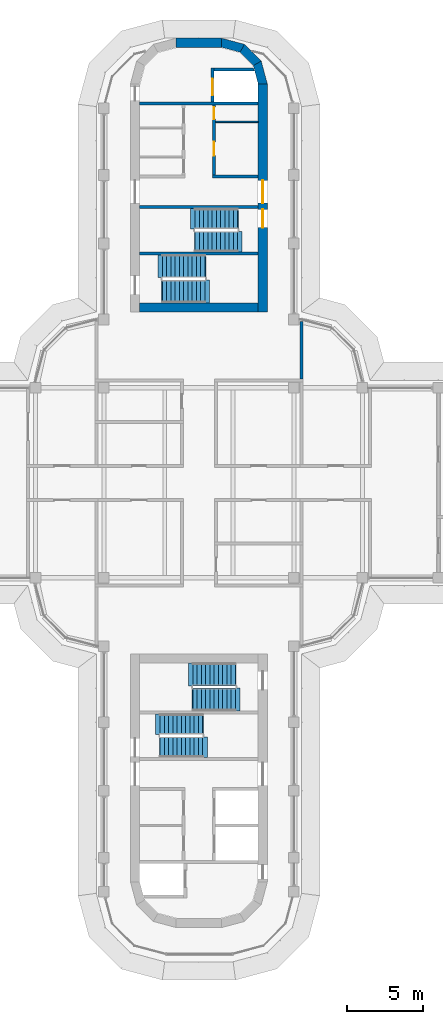
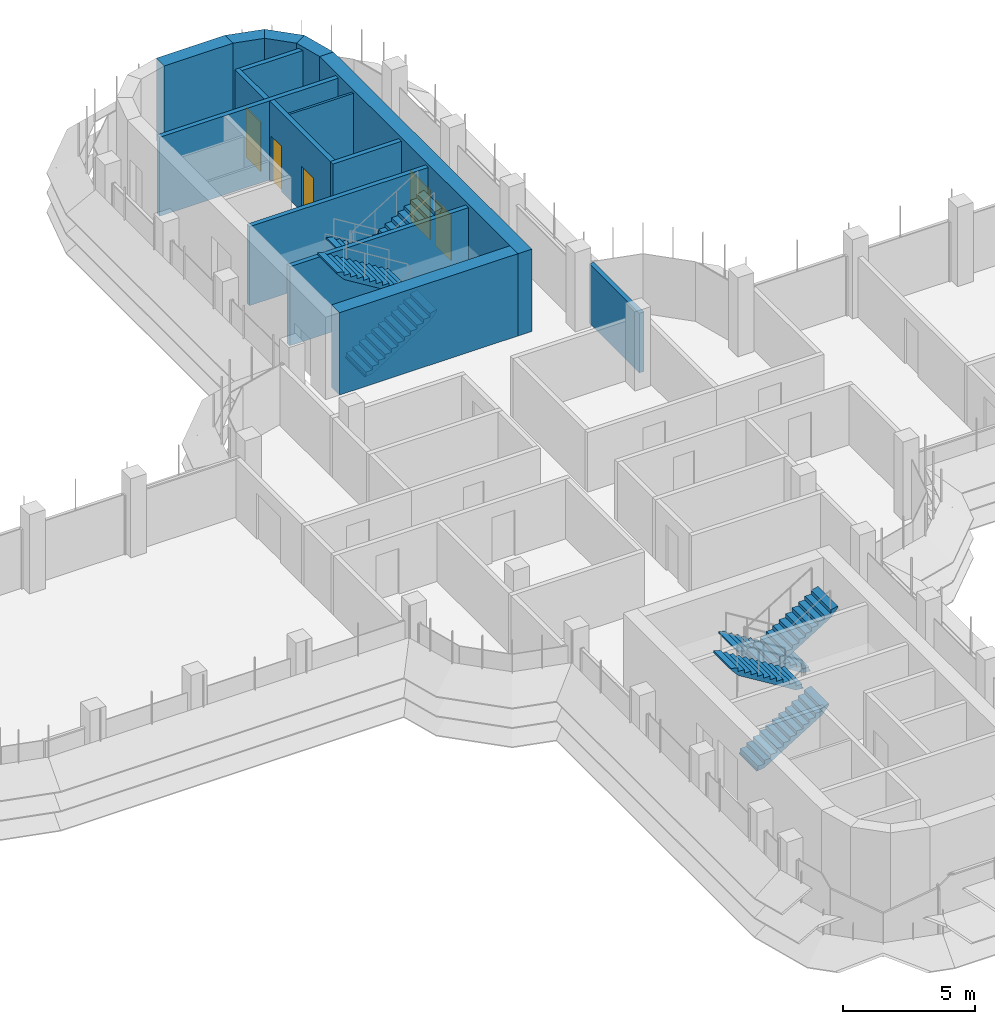
# One storey, part 15 of 19: 15 walls, 8 stair flights, 5 doors, 5 openings, 4 elements without a shape of their own.
"""IFC4 building model written with IfcOpenShell, lengths in metres."""

from ifc_helpers import new_model, si_unit, direction, frame, frame_2d, origin, place, context, subcontext, project, spatial, polyline, rectangle, outline, extrude, material, layer, layer_set, type_object, element, fill, aggregate, save


model = new_model("IFC4")

# Units and contexts
model_context = context("Model", 3, precision=1e-05, world=origin(), true_north=direction((0.0, 1.0)))
body_context = subcontext(model_context, "Body", "Model", "MODEL_VIEW")
ifc_project = project(units=[si_unit("LENGTHUNIT", "METRE"), si_unit("AREAUNIT", "SQUARE_METRE"), si_unit("VOLUMEUNIT", "CUBIC_METRE"), si_unit("PLANEANGLEUNIT", "RADIAN"), si_unit("MASSUNIT", "GRAM", prefix="KILO")], contexts=[model_context])

# Site, building, storey
site_placement = place(None, origin())
site = spatial("IfcSite", under=ifc_project, at=site_placement, CompositionType="ELEMENT")
building_placement = place(site_placement, origin())
building = spatial("IfcBuilding", under=site, at=building_placement, Name="Zarbagh Exchange Tower", CompositionType="ELEMENT")
storey_placement = place(building_placement, frame((0.0, 0.0, 225.800048828125)))
storey = spatial("IfcBuildingStorey", under=building, at=storey_placement, Name="L55", CompositionType="ELEMENT", Elevation=225.800048828125)

# Walls
ifc_material_1 = material(Name="Dense blockwork", Category="masonry")
ifc_layer_1 = layer(ifc_material_1, 0.10009765625)
ifc_layer_set_1 = layer_set([ifc_layer_1], Name="Core partition 100 mm blockwork")
wall_type_1 = type_object("IfcWallType", Name="Core partition 100 mm blockwork", PredefinedType="PARTITIONING", material=ifc_layer_set_1)
wall_1_placement = place(storey_placement, frame((1.10009765625, 23.75, 0.0), z_axis=(0.0, 0.0, 1.0), x_axis=(1.0, 0.0, 0.0)))
element("IfcWall", 1, at=wall_1_placement, inside=storey, type_object=wall_type_1, Name="North core partition wall CUT-E-460", PredefinedType="PARTITIONING", context=body_context, shape_type="SweptSolid", body=[
    extrude(rectangle(XDim=2.7998046875, YDim=0.10009765625, at=frame_2d((1.39990234375, 0.0))), origin(), (0.0, 0.0, 1.0), 3.64990234375),
])
ifc_material_2 = material(Name="Fire-rated plasterboard partition")
ifc_layer_2 = layer(ifc_material_2, 0.199951171875)
ifc_layer_set_2 = layer_set([ifc_layer_2], Name="RATED PARTITION 200")
wall_type_2 = type_object("IfcWallType", Name="RATED PARTITION 200", PredefinedType="PARTITIONING", material=ifc_layer_set_2)
wall_2_placement = place(storey_placement, frame((6.75, 6.85009765625, 0.0), z_axis=(0.0, 0.0, 1.0), x_axis=(0.0, 1.0, 0.0)))
element("IfcWall", 2, at=wall_2_placement, inside=storey, type_object=wall_type_2, Name="Partition W-2417", PredefinedType="PARTITIONING", context=body_context, shape_type="SweptSolid", body=[
    extrude(rectangle(XDim=3.77978515625, YDim=0.199951171875, at=frame_2d((1.889892578125, 0.0))), origin(), (0.0, 0.0, 1.0), 2.75),
])
ifc_material_3 = material(Name="Concrete C50/60", Category="concrete")
ifc_layer_3 = layer(ifc_material_3, 0.60009765625)
ifc_layer_set_3 = layer_set([ifc_layer_3], Name="RC core corner wall 600 C50/60")
wall_type_3 = type_object("IfcWallType", Name="RC core corner wall 600 C50/60", PredefinedType="SHEAR", material=ifc_layer_set_3)
wall_3_placement = place(storey_placement, origin())
element("IfcWall", 3, at=wall_3_placement, inside=storey, type_object=wall_type_3, Name="CW8 core N corner E", PredefinedType="SHEAR", context=body_context, shape_type="SweptSolid", body=[
    extrude(outline(polyline([(4.5, 26.25), (4.09814453125, 27.75), (3.57861328125, 27.449951171875), (3.89990234375, 26.25), (4.5, 26.25)])), origin(), (0.0, 0.0, 1.0), 3.800048828125),
])
wall_4_placement = place(storey_placement, origin())
element("IfcWall", 4, at=wall_4_placement, inside=storey, type_object=wall_type_3, Name="CW8 core N corner E", PredefinedType="SHEAR", context=body_context, shape_type="SweptSolid", body=[
    extrude(outline(polyline([(4.09814453125, 27.75), (3.0, 28.84814453125), (2.699951171875, 28.32861328125), (3.57861328125, 27.449951171875), (4.09814453125, 27.75)])), origin(), (0.0, 0.0, 1.0), 3.800048828125),
])
wall_5_placement = place(storey_placement, origin())
element("IfcWall", 5, at=wall_5_placement, inside=storey, type_object=wall_type_3, Name="CW8 core N corner E", PredefinedType="SHEAR", context=body_context, shape_type="SweptSolid", body=[
    extrude(outline(polyline([(3.0, 28.84814453125), (1.5, 29.25), (1.5, 28.64990234375), (2.699951171875, 28.32861328125), (3.0, 28.84814453125)])), origin(), (0.0, 0.0, 1.0), 3.800048828125),
])

# Wall, openings, doors
ifc_layer_4 = layer(ifc_material_3, 0.60009765625)
ifc_layer_set_4 = layer_set([ifc_layer_4], Name="RC core wall 600 C50/60")
wall_type_4 = type_object("IfcWallType", Name="RC core wall 600 C50/60", PredefinedType="SHEAR", material=ifc_layer_set_4)
wall_6_placement = place(storey_placement, frame((4.199951171875, 11.25, 0.0), z_axis=(0.0, 0.0, 1.0), x_axis=(0.0, 1.0, 0.0)))
wall_6 = element("IfcWall", 6, at=wall_6_placement, inside=storey, type_object=wall_type_4, Name="CW7 core N E", PredefinedType="SHEAR", context=body_context, shape_type="SweptSolid", body=[
    extrude(rectangle(XDim=15.0, YDim=0.60009765625, at=frame_2d((7.5, 0.0))), origin(), (0.0, 0.0, 1.0), 3.800048828125),
])
opening_1_placement = place(wall_6_placement, frame((7.14990234375, 0.0, 0.0)))
opening_1 = element("IfcOpeningElement", 7, at=opening_1_placement, cuts=wall_6, Name="Opening CD1-1500", PredefinedType="OPENING", context=body_context, shape_type="SweptSolid", body=[
    extrude(rectangle(XDim=1.5, YDim=2.300048828125, at=frame_2d((0.75, 1.14990234375))), frame((0.0, 0.31005859375, 0.0), z_axis=(0.0, -1.0, 0.0), x_axis=(1.0, 0.0, 0.0)), (0.0, 0.0, 1.0), 0.6201171875),
])
opening_2_placement = place(wall_6_placement, frame((5.550048828125, 0.0, 0.0)))
opening_2 = element("IfcOpeningElement", 8, at=opening_2_placement, cuts=wall_6, Name="Opening SD1-1200", PredefinedType="OPENING", context=body_context, shape_type="SweptSolid", body=[
    extrude(rectangle(XDim=1.199951171875, YDim=2.10009765625, at=frame_2d((0.60009765625, 1.050048828125))), frame((0.0, 0.31005859375, 0.0), z_axis=(0.0, -1.0, 0.0), x_axis=(1.0, 0.0, 0.0)), (0.0, 0.0, 1.0), 0.6201171875),
])
ifc_material_4 = material(Name="Steel", Category="steel")
door_type_1 = type_object("IfcDoorType", Name="Exit stair door 1200 x 2100", OperationType="NOTDEFINED", PredefinedType="DOOR", material=ifc_material_4)
door_1_placement = place(opening_2_placement, origin())
door_1 = element("IfcDoor", 9, at=door_1_placement, inside=storey, type_object=door_type_1, Name="North core stair door ST1", OperationType="SINGLE_SWING_RIGHT", OverallHeight=2.10009765625, OverallWidth=1.199951171875, PredefinedType="DOOR", context=body_context, shape_type="SweptSolid", body=[
    extrude(rectangle(XDim=1.199951171875, YDim=2.10009765625, at=frame_2d((0.60009765625, 1.050048828125))), frame((0.0, 0.02490234375, 0.0), z_axis=(0.0, -1.0, 0.0), x_axis=(1.0, 0.0, 0.0)), (0.0, 0.0, 1.0), 0.050048828125),
])
fill(opening_2, door_1)
door_type_2 = type_object("IfcDoorType", Name="Lift lobby double door 1500 x 2300", OperationType="NOTDEFINED", PredefinedType="DOOR", material=ifc_material_4)
door_2_placement = place(opening_1_placement, origin())
door_2 = element("IfcDoor", 10, at=door_2_placement, inside=storey, type_object=door_type_2, Name="North core lift lobby door LOBBY-E", OperationType="DOUBLE_DOOR_SINGLE_SWING", OverallHeight=2.300048828125, OverallWidth=1.5, PredefinedType="DOOR", context=body_context, shape_type="SweptSolid", body=[
    extrude(rectangle(XDim=1.5, YDim=2.300048828125, at=frame_2d((0.75, 1.14990234375))), frame((0.0, 0.02490234375, 0.0), z_axis=(0.0, -1.0, 0.0), x_axis=(1.0, 0.0, 0.0)), (0.0, 0.0, 1.0), 0.050048828125),
])
fill(opening_1, door_2)

# Walls
wall_7_placement = place(storey_placement, frame((-3.89990234375, 11.550048828125, 0.0), z_axis=(0.0, 0.0, 1.0), x_axis=(1.0, 0.0, 0.0)))
element("IfcWall", 11, at=wall_7_placement, inside=storey, type_object=wall_type_4, Name="CW7 core N inner end", PredefinedType="SHEAR", context=body_context, shape_type="SweptSolid", body=[
    extrude(rectangle(XDim=7.7998046875, YDim=0.60009765625, at=frame_2d((3.89990234375, 0.0))), origin(), (0.0, 0.0, 1.0), 3.800048828125),
])
wall_8_placement = place(storey_placement, frame((-1.5, 28.949951171875, 0.0), z_axis=(0.0, 0.0, 1.0), x_axis=(1.0, 0.0, 0.0)))
element("IfcWall", 12, at=wall_8_placement, inside=storey, type_object=wall_type_4, Name="CW7 core N outer end", PredefinedType="SHEAR", context=body_context, shape_type="SweptSolid", body=[
    extrude(rectangle(XDim=3.0, YDim=0.60009765625, at=frame_2d((1.5, 0.0))), origin(), (0.0, 0.0, 1.0), 3.800048828125),
])
ifc_layer_5 = layer(ifc_material_1, 0.199951171875)
ifc_layer_set_5 = layer_set([ifc_layer_5], Name="Shaft wall 200 mm blockwork")
wall_type_5 = type_object("IfcWallType", Name="Shaft wall 200 mm blockwork", PredefinedType="PARTITIONING", material=ifc_layer_set_5)
wall_9_placement = place(storey_placement, frame((0.89990234375, 20.14990234375, 0.0), z_axis=(0.0, 0.0, 1.0), x_axis=(1.0, 0.0, 0.0)))
element("IfcWall", 13, at=wall_9_placement, inside=storey, type_object=wall_type_5, Name="North core shaft wall AB-E", PredefinedType="PARTITIONING", context=body_context, shape_type="SweptSolid", body=[
    extrude(rectangle(XDim=3.0, YDim=0.199951171875, at=frame_2d((1.5, 0.0))), origin(), (0.0, 0.0, 1.0), 3.64990234375),
])

# Wall, openings, doors
wall_10_placement = place(storey_placement, frame((1.0, 24.85009765625, 0.0), z_axis=(0.0, 0.0, 1.0), x_axis=(0.0, -1.0, 0.0)))
wall_10 = element("IfcWall", 14, at=wall_10_placement, inside=storey, type_object=wall_type_5, Name="North core shaft wall LW-E", PredefinedType="PARTITIONING", context=body_context, shape_type="SweptSolid", body=[
    extrude(rectangle(XDim=4.60009765625, YDim=0.199951171875, at=frame_2d((2.300048828125, 0.0))), origin(), (0.0, 0.0, 1.0), 3.64990234375),
])
opening_3_placement = place(wall_10_placement, frame((0.125, 0.0, 0.0)))
opening_3 = element("IfcOpeningElement", 15, at=opening_3_placement, cuts=wall_10, Name="Opening CD3-800", PredefinedType="OPENING", context=body_context, shape_type="SweptSolid", body=[
    extrude(rectangle(XDim=0.800048828125, YDim=2.10009765625, at=frame_2d((0.39990234375, 1.050048828125))), frame((0.0, 0.10986328125, 0.0), z_axis=(0.0, -1.0, 0.0), x_axis=(1.0, 0.0, 0.0)), (0.0, 0.0, 1.0), 0.219970703125),
])
opening_4_placement = place(wall_10_placement, frame((2.425048828125, 0.0, 0.0)))
opening_4 = element("IfcOpeningElement", 16, at=opening_4_placement, cuts=wall_10, Name="Opening CD3-900", PredefinedType="OPENING", context=body_context, shape_type="SweptSolid", body=[
    extrude(rectangle(XDim=0.89990234375, YDim=2.10009765625, at=frame_2d((0.449951171875, 1.050048828125))), frame((0.0, 0.10986328125, 0.0), z_axis=(0.0, -1.0, 0.0), x_axis=(1.0, 0.0, 0.0)), (0.0, 0.0, 1.0), 0.219970703125),
])
door_type_3 = type_object("IfcDoorType", Name="Core room door 800 x 2100", OperationType="NOTDEFINED", PredefinedType="DOOR", material=ifc_material_4)
door_3_placement = place(opening_3_placement, origin())
door_3 = element("IfcDoor", 17, at=door_3_placement, inside=storey, type_object=door_type_3, Name="North core Store door RD-E-0", OperationType="SINGLE_SWING_LEFT", OverallHeight=2.10009765625, OverallWidth=0.800048828125, PredefinedType="DOOR", context=body_context, shape_type="SweptSolid", body=[
    extrude(rectangle(XDim=0.800048828125, YDim=2.10009765625, at=frame_2d((0.39990234375, 1.050048828125))), frame((0.0, 0.02490234375, 0.0), z_axis=(0.0, -1.0, 0.0), x_axis=(1.0, 0.0, 0.0)), (0.0, 0.0, 1.0), 0.050048828125),
])
fill(opening_3, door_3)
door_type_4 = type_object("IfcDoorType", Name="Core room door 900 x 2100", OperationType="NOTDEFINED", PredefinedType="DOOR", material=ifc_material_4)
door_4_placement = place(opening_4_placement, origin())
door_4 = element("IfcDoor", 18, at=door_4_placement, inside=storey, type_object=door_type_4, Name="North core Staff WC door RD-E-1", OperationType="SINGLE_SWING_LEFT", OverallHeight=2.10009765625, OverallWidth=0.89990234375, PredefinedType="DOOR", context=body_context, shape_type="SweptSolid", body=[
    extrude(rectangle(XDim=0.89990234375, YDim=2.10009765625, at=frame_2d((0.449951171875, 1.050048828125))), frame((0.0, 0.02490234375, 0.0), z_axis=(0.0, -1.0, 0.0), x_axis=(1.0, 0.0, 0.0)), (0.0, 0.0, 1.0), 0.050048828125),
])
fill(opening_4, door_4)

# Wall
ifc_material_5 = material(Name="Concrete C40/50", Category="concrete")
ifc_layer_6 = layer(ifc_material_5, 0.199951171875)
ifc_layer_set_6 = layer_set([ifc_layer_6], Name="Stair enclosure wall 200 mm RC C40/50")
wall_type_6 = type_object("IfcWallType", Name="Stair enclosure wall 200 mm RC C40/50", PredefinedType="SHEAR", material=ifc_layer_set_6)
wall_11_placement = place(storey_placement, frame((-3.89990234375, 24.949951171875, 0.0), z_axis=(0.0, 0.0, 1.0), x_axis=(1.0, 0.0, 0.0)))
element("IfcWall", 19, at=wall_11_placement, inside=storey, type_object=wall_type_6, Name="North core lift shaft wall FFA", PredefinedType="SHEAR", context=body_context, shape_type="SweptSolid", body=[
    extrude(rectangle(XDim=7.7998046875, YDim=0.199951171875, at=frame_2d((3.89990234375, 0.0))), origin(), (0.0, 0.0, 1.0), 3.64990234375),
])

# Wall, opening, door
wall_12_placement = place(storey_placement, frame((0.89990234375, 27.300048828125, 0.0), z_axis=(0.0, 0.0, 1.0), x_axis=(0.0, -1.0, 0.0)))
wall_12 = element("IfcWall", 20, at=wall_12_placement, inside=storey, type_object=wall_type_6, Name="North core lift shaft wall FFL", PredefinedType="SHEAR", context=body_context, shape_type="SweptSolid", body=[
    extrude(rectangle(XDim=2.25, YDim=0.199951171875, at=frame_2d((1.125, 0.0))), origin(), (0.0, 0.0, 1.0), 3.64990234375),
])
opening_5_placement = place(wall_12_placement, frame((0.699951171875, 0.0, 0.0)))
opening_5 = element("IfcOpeningElement", 21, at=opening_5_placement, cuts=wall_12, Name="Opening LD-1100", PredefinedType="OPENING", context=body_context, shape_type="SweptSolid", body=[
    extrude(rectangle(XDim=1.10009765625, YDim=2.300048828125, at=frame_2d((0.550048828125, 1.14990234375))), frame((0.0, 0.10986328125, 0.0), z_axis=(0.0, -1.0, 0.0), x_axis=(1.0, 0.0, 0.0)), (0.0, 0.0, 1.0), 0.219970703125),
])
ifc_material_6 = material(Name="Stainless steel", Category="steel")
door_type_5 = type_object("IfcDoorType", Name="Lift landing door 1100 x 2300", OperationType="NOTDEFINED", PredefinedType="DOOR", material=ifc_material_6)
door_5_placement = place(opening_5_placement, origin())
door_5 = element("IfcDoor", 22, at=door_5_placement, inside=storey, type_object=door_type_5, Name="North core lift landing door LD-F", OperationType="DOUBLE_DOOR_SLIDING", OverallHeight=2.300048828125, OverallWidth=1.10009765625, PredefinedType="DOOR", context=body_context, shape_type="SweptSolid", body=[
    extrude(rectangle(XDim=1.10009765625, YDim=2.300048828125, at=frame_2d((0.550048828125, 1.14990234375))), frame((0.0, 0.02490234375, 0.0), z_axis=(0.0, -1.0, 0.0), x_axis=(1.0, 0.0, 0.0)), (0.0, 0.0, 1.0), 0.050048828125),
])
fill(opening_5, door_5)

# Walls
wall_13_placement = place(storey_placement, origin())
element("IfcWall", 23, at=wall_13_placement, inside=storey, type_object=wall_type_6, Name="North core lift shaft wall FFX", PredefinedType="SHEAR", context=body_context, shape_type="SweptSolid", body=[
    extrude(outline(polyline([(1.0, 27.10009765625), (3.651123046875, 27.10009765625), (3.597412109375, 27.300048828125), (1.0, 27.300048828125), (1.0, 27.10009765625)])), origin(), (0.0, 0.0, 1.0), 3.64990234375),
])
for number, where, z_axis, x_axis, name in (
    (24, (-3.89990234375, 18.14990234375, 0.0), (0.0, 0.0, 1.0), (1.0, 0.0, 0.0), "North core stair wall BS"),
    (25, (-3.89990234375, 15.10009765625, 0.0), (0.0, 0.0, 1.0), (1.0, 0.0, 0.0), "North core stair wall ST12"),
):
    element("IfcWall", number, at=place(storey_placement, frame(where, z_axis=z_axis, x_axis=x_axis)), inside=storey, type_object=wall_type_6, Name=name, PredefinedType="SHEAR", context=body_context, shape_type="SweptSolid", body=[
        extrude(rectangle(XDim=7.7998046875, YDim=0.199951171875, at=frame_2d((3.89990234375, 0.0))), origin(), (0.0, 0.0, 1.0), 3.64990234375),
    ])

# Stair, stair flights
stair_type = type_object("IfcStairType", Name="Exit stair two-flight half-turn", PredefinedType="HALF_TURN_STAIR", material=ifc_material_5)
stair_1_placement = place(storey_placement, origin())
stair_1 = element("IfcStair", 26, at=stair_1_placement, inside=storey, type_object=stair_type, Name="exit stair ST1", PredefinedType="HALF_TURN_STAIR")
stair_flight_type_1 = type_object("IfcStairFlightType", Name="Stair flight 1350 mm", PredefinedType="STRAIGHT", material=ifc_material_5)
stair_flight_1_placement = place(storey_placement, frame((2.550048828125, 17.375, 0.0), z_axis=(0.0, 0.0, 1.0), x_axis=(-1.0, 0.0, 0.0)))
stair_flight_1 = element("IfcStairFlight", 27, at=stair_flight_1_placement, type_object=stair_flight_type_1, Name="ST1 flight 1", NumberOfRisers=11, NumberOfTreads=10, PredefinedType="STRAIGHT", RiserHeight=0.172727273, TreadLength=0.28, context=body_context, shape_type="SweptSolid", body=[
    extrude(outline(polyline([(-0.050048828125, -0.050048828125), (-0.050048828125, 0.0), (0.0, 0.0), (0.0, 0.172607421875), (0.280029296875, 0.172607421875), (0.280029296875, 0.345458984375), (0.56005859375, 0.345458984375), (0.56005859375, 0.51806640625), (0.840087890625, 0.51806640625), (0.840087890625, 0.69091796875), (1.1201171875, 0.69091796875), (1.1201171875, 0.863525390625), (1.39990234375, 0.863525390625), (1.39990234375, 1.036376953125), (1.679931640625, 1.036376953125), (1.679931640625, 1.208984375), (1.9599609375, 1.208984375), (1.9599609375, 1.3818359375), (2.239990234375, 1.3818359375), (2.239990234375, 1.554443359375), (2.52001953125, 1.554443359375), (2.52001953125, 1.727294921875), (2.800048828125, 1.727294921875), (2.800048828125, 1.89990234375), (3.10009765625, 1.97998046875), (3.10009765625, 1.89990234375), (2.800048828125, 1.551025390625), (0.285400390625, 0.0), (-0.050048828125, -0.050048828125)])), frame((0.0, 0.675048828125, 0.0), z_axis=(0.0, -1.0, 0.0), x_axis=(1.0, 0.0, 0.0)), (0.0, 0.0, 1.0), 1.35009765625),
])
stair_flight_2_placement = place(storey_placement, frame((-0.25, 15.875, 1.89990234375), z_axis=(0.0, 0.0, 1.0), x_axis=(1.0, 0.0, 0.0)))
stair_flight_2 = element("IfcStairFlight", 28, at=stair_flight_2_placement, type_object=stair_flight_type_1, Name="ST1 flight 2", NumberOfRisers=11, NumberOfTreads=10, PredefinedType="STRAIGHT", RiserHeight=0.172727273, TreadLength=0.28, context=body_context, shape_type="SweptSolid", body=[
    extrude(outline(polyline([(-0.050048828125, -0.050048828125), (-0.050048828125, 0.0), (0.0, 0.0), (0.0, 0.172607421875), (0.280029296875, 0.172607421875), (0.280029296875, 0.345458984375), (0.56005859375, 0.345458984375), (0.56005859375, 0.51806640625), (0.840087890625, 0.51806640625), (0.840087890625, 0.69091796875), (1.1201171875, 0.69091796875), (1.1201171875, 0.863525390625), (1.39990234375, 0.863525390625), (1.39990234375, 1.036376953125), (1.679931640625, 1.036376953125), (1.679931640625, 1.208984375), (1.9599609375, 1.208984375), (1.9599609375, 1.3818359375), (2.239990234375, 1.3818359375), (2.239990234375, 1.554443359375), (2.52001953125, 1.554443359375), (2.52001953125, 1.727294921875), (2.800048828125, 1.727294921875), (2.800048828125, 1.89990234375), (3.10009765625, 1.97998046875), (3.10009765625, 1.89990234375), (2.800048828125, 1.551025390625), (0.285400390625, 0.0), (-0.050048828125, -0.050048828125)])), frame((0.0, 0.675048828125, 0.0), z_axis=(0.0, -1.0, 0.0), x_axis=(1.0, 0.0, 0.0)), (0.0, 0.0, 1.0), 1.35009765625),
])
aggregate(stair_1, [stair_flight_1, stair_flight_2])

stair_2_placement = place(storey_placement, origin())
stair_2 = element("IfcStair", 29, at=stair_2_placement, inside=storey, type_object=stair_type, Name="exit stair ST3", PredefinedType="HALF_TURN_STAIR")
stair_flight_3_placement = place(storey_placement, frame((-2.550048828125, -17.375, 0.0), z_axis=(0.0, 0.0, 1.0), x_axis=(1.0, 0.0, 0.0)))
stair_flight_3 = element("IfcStairFlight", 30, at=stair_flight_3_placement, type_object=stair_flight_type_1, Name="ST3 flight 1", NumberOfRisers=11, NumberOfTreads=10, PredefinedType="STRAIGHT", RiserHeight=0.172727273, TreadLength=0.28, context=body_context, shape_type="SweptSolid", body=[
    extrude(outline(polyline([(-0.050048828125, -0.050048828125), (-0.050048828125, 0.0), (0.0, 0.0), (0.0, 0.172607421875), (0.280029296875, 0.172607421875), (0.280029296875, 0.345458984375), (0.56005859375, 0.345458984375), (0.56005859375, 0.51806640625), (0.840087890625, 0.51806640625), (0.840087890625, 0.69091796875), (1.1201171875, 0.69091796875), (1.1201171875, 0.863525390625), (1.39990234375, 0.863525390625), (1.39990234375, 1.036376953125), (1.679931640625, 1.036376953125), (1.679931640625, 1.208984375), (1.9599609375, 1.208984375), (1.9599609375, 1.3818359375), (2.239990234375, 1.3818359375), (2.239990234375, 1.554443359375), (2.52001953125, 1.554443359375), (2.52001953125, 1.727294921875), (2.800048828125, 1.727294921875), (2.800048828125, 1.89990234375), (3.10009765625, 1.97998046875), (3.10009765625, 1.89990234375), (2.800048828125, 1.551025390625), (0.285400390625, 0.0), (-0.050048828125, -0.050048828125)])), frame((0.0, 0.675048828125, 0.0), z_axis=(0.0, -1.0, 0.0), x_axis=(1.0, 0.0, 0.0)), (0.0, 0.0, 1.0), 1.35009765625),
])
stair_flight_4_placement = place(storey_placement, frame((0.25, -15.875, 1.89990234375), z_axis=(0.0, 0.0, 1.0), x_axis=(-1.0, 0.0, 0.0)))
stair_flight_4 = element("IfcStairFlight", 31, at=stair_flight_4_placement, type_object=stair_flight_type_1, Name="ST3 flight 2", NumberOfRisers=11, NumberOfTreads=10, PredefinedType="STRAIGHT", RiserHeight=0.172727273, TreadLength=0.28, context=body_context, shape_type="SweptSolid", body=[
    extrude(outline(polyline([(-0.050048828125, -0.050048828125), (-0.050048828125, 0.0), (0.0, 0.0), (0.0, 0.172607421875), (0.280029296875, 0.172607421875), (0.280029296875, 0.345458984375), (0.56005859375, 0.345458984375), (0.56005859375, 0.51806640625), (0.840087890625, 0.51806640625), (0.840087890625, 0.69091796875), (1.1201171875, 0.69091796875), (1.1201171875, 0.863525390625), (1.39990234375, 0.863525390625), (1.39990234375, 1.036376953125), (1.679931640625, 1.036376953125), (1.679931640625, 1.208984375), (1.9599609375, 1.208984375), (1.9599609375, 1.3818359375), (2.239990234375, 1.3818359375), (2.239990234375, 1.554443359375), (2.52001953125, 1.554443359375), (2.52001953125, 1.727294921875), (2.800048828125, 1.727294921875), (2.800048828125, 1.89990234375), (3.10009765625, 1.97998046875), (3.10009765625, 1.89990234375), (2.800048828125, 1.551025390625), (0.285400390625, 0.0), (-0.050048828125, -0.050048828125)])), frame((0.0, 0.675048828125, 0.0), z_axis=(0.0, -1.0, 0.0), x_axis=(1.0, 0.0, 0.0)), (0.0, 0.0, 1.0), 1.35009765625),
])
aggregate(stair_2, [stair_flight_3, stair_flight_4])

stair_3_placement = place(storey_placement, origin())
stair_3 = element("IfcStair", 32, at=stair_3_placement, inside=storey, type_object=stair_type, Name="exit stair ST2", PredefinedType="HALF_TURN_STAIR")
stair_flight_type_2 = type_object("IfcStairFlightType", Name="Stair flight 1500 mm", PredefinedType="STRAIGHT", material=ifc_material_5)
stair_flight_5_placement = place(storey_placement, frame((-2.39990234375, 12.60009765625, 0.0), z_axis=(0.0, 0.0, 1.0), x_axis=(1.0, 0.0, 0.0)))
stair_flight_5 = element("IfcStairFlight", 33, at=stair_flight_5_placement, type_object=stair_flight_type_2, Name="ST2 flight 1", NumberOfRisers=11, NumberOfTreads=10, PredefinedType="STRAIGHT", RiserHeight=0.172727273, TreadLength=0.28, context=body_context, shape_type="SweptSolid", body=[
    extrude(outline(polyline([(-0.050048828125, -0.050048828125), (-0.050048828125, 0.0), (0.0, 0.0), (0.0, 0.172607421875), (0.280029296875, 0.172607421875), (0.280029296875, 0.345458984375), (0.56005859375, 0.345458984375), (0.56005859375, 0.51806640625), (0.840087890625, 0.51806640625), (0.840087890625, 0.69091796875), (1.1201171875, 0.69091796875), (1.1201171875, 0.863525390625), (1.39990234375, 0.863525390625), (1.39990234375, 1.036376953125), (1.679931640625, 1.036376953125), (1.679931640625, 1.208984375), (1.9599609375, 1.208984375), (1.9599609375, 1.3818359375), (2.239990234375, 1.3818359375), (2.239990234375, 1.554443359375), (2.52001953125, 1.554443359375), (2.52001953125, 1.727294921875), (2.800048828125, 1.727294921875), (2.800048828125, 1.89990234375), (3.10009765625, 1.97998046875), (3.10009765625, 1.89990234375), (2.800048828125, 1.551025390625), (0.285400390625, 0.0), (-0.050048828125, -0.050048828125)])), frame((0.0, 0.75, 0.0), z_axis=(0.0, -1.0, 0.0), x_axis=(1.0, 0.0, 0.0)), (0.0, 0.0, 1.0), 1.5),
])
stair_flight_6_placement = place(storey_placement, frame((0.39990234375, 14.25, 1.89990234375), z_axis=(0.0, 0.0, 1.0), x_axis=(-1.0, 0.0, 0.0)))
stair_flight_6 = element("IfcStairFlight", 34, at=stair_flight_6_placement, type_object=stair_flight_type_2, Name="ST2 flight 2", NumberOfRisers=11, NumberOfTreads=10, PredefinedType="STRAIGHT", RiserHeight=0.172727273, TreadLength=0.28, context=body_context, shape_type="SweptSolid", body=[
    extrude(outline(polyline([(-0.050048828125, -0.050048828125), (-0.050048828125, 0.0), (0.0, 0.0), (0.0, 0.172607421875), (0.280029296875, 0.172607421875), (0.280029296875, 0.345458984375), (0.56005859375, 0.345458984375), (0.56005859375, 0.51806640625), (0.840087890625, 0.51806640625), (0.840087890625, 0.69091796875), (1.1201171875, 0.69091796875), (1.1201171875, 0.863525390625), (1.39990234375, 0.863525390625), (1.39990234375, 1.036376953125), (1.679931640625, 1.036376953125), (1.679931640625, 1.208984375), (1.9599609375, 1.208984375), (1.9599609375, 1.3818359375), (2.239990234375, 1.3818359375), (2.239990234375, 1.554443359375), (2.52001953125, 1.554443359375), (2.52001953125, 1.727294921875), (2.800048828125, 1.727294921875), (2.800048828125, 1.89990234375), (3.10009765625, 1.97998046875), (3.10009765625, 1.89990234375), (2.800048828125, 1.551025390625), (0.285400390625, 0.0), (-0.050048828125, -0.050048828125)])), frame((0.0, 0.75, 0.0), z_axis=(0.0, -1.0, 0.0), x_axis=(1.0, 0.0, 0.0)), (0.0, 0.0, 1.0), 1.5),
])
aggregate(stair_3, [stair_flight_5, stair_flight_6])

stair_4_placement = place(storey_placement, origin())
stair_4 = element("IfcStair", 35, at=stair_4_placement, inside=storey, type_object=stair_type, Name="exit stair ST4", PredefinedType="HALF_TURN_STAIR")
stair_flight_7_placement = place(storey_placement, frame((2.39990234375, -12.60009765625, 0.0), z_axis=(0.0, 0.0, 1.0), x_axis=(-1.0, 0.0, 0.0)))
stair_flight_7 = element("IfcStairFlight", 36, at=stair_flight_7_placement, type_object=stair_flight_type_2, Name="ST4 flight 1", NumberOfRisers=11, NumberOfTreads=10, PredefinedType="STRAIGHT", RiserHeight=0.172727273, TreadLength=0.28, context=body_context, shape_type="SweptSolid", body=[
    extrude(outline(polyline([(-0.050048828125, -0.050048828125), (-0.050048828125, 0.0), (0.0, 0.0), (0.0, 0.172607421875), (0.280029296875, 0.172607421875), (0.280029296875, 0.345458984375), (0.56005859375, 0.345458984375), (0.56005859375, 0.51806640625), (0.840087890625, 0.51806640625), (0.840087890625, 0.69091796875), (1.1201171875, 0.69091796875), (1.1201171875, 0.863525390625), (1.39990234375, 0.863525390625), (1.39990234375, 1.036376953125), (1.679931640625, 1.036376953125), (1.679931640625, 1.208984375), (1.9599609375, 1.208984375), (1.9599609375, 1.3818359375), (2.239990234375, 1.3818359375), (2.239990234375, 1.554443359375), (2.52001953125, 1.554443359375), (2.52001953125, 1.727294921875), (2.800048828125, 1.727294921875), (2.800048828125, 1.89990234375), (3.10009765625, 1.97998046875), (3.10009765625, 1.89990234375), (2.800048828125, 1.551025390625), (0.285400390625, 0.0), (-0.050048828125, -0.050048828125)])), frame((0.0, 0.75, 0.0), z_axis=(0.0, -1.0, 0.0), x_axis=(1.0, 0.0, 0.0)), (0.0, 0.0, 1.0), 1.5),
])
stair_flight_8_placement = place(storey_placement, frame((-0.39990234375, -14.25, 1.89990234375), z_axis=(0.0, 0.0, 1.0), x_axis=(1.0, 0.0, 0.0)))
stair_flight_8 = element("IfcStairFlight", 37, at=stair_flight_8_placement, type_object=stair_flight_type_2, Name="ST4 flight 2", NumberOfRisers=11, NumberOfTreads=10, PredefinedType="STRAIGHT", RiserHeight=0.172727273, TreadLength=0.28, context=body_context, shape_type="SweptSolid", body=[
    extrude(outline(polyline([(-0.050048828125, -0.050048828125), (-0.050048828125, 0.0), (0.0, 0.0), (0.0, 0.172607421875), (0.280029296875, 0.172607421875), (0.280029296875, 0.345458984375), (0.56005859375, 0.345458984375), (0.56005859375, 0.51806640625), (0.840087890625, 0.51806640625), (0.840087890625, 0.69091796875), (1.1201171875, 0.69091796875), (1.1201171875, 0.863525390625), (1.39990234375, 0.863525390625), (1.39990234375, 1.036376953125), (1.679931640625, 1.036376953125), (1.679931640625, 1.208984375), (1.9599609375, 1.208984375), (1.9599609375, 1.3818359375), (2.239990234375, 1.3818359375), (2.239990234375, 1.554443359375), (2.52001953125, 1.554443359375), (2.52001953125, 1.727294921875), (2.800048828125, 1.727294921875), (2.800048828125, 1.89990234375), (3.10009765625, 1.97998046875), (3.10009765625, 1.89990234375), (2.800048828125, 1.551025390625), (0.285400390625, 0.0), (-0.050048828125, -0.050048828125)])), frame((0.0, 0.75, 0.0), z_axis=(0.0, -1.0, 0.0), x_axis=(1.0, 0.0, 0.0)), (0.0, 0.0, 1.0), 1.5),
])
aggregate(stair_4, [stair_flight_7, stair_flight_8])

save(model, "model.ifc")
